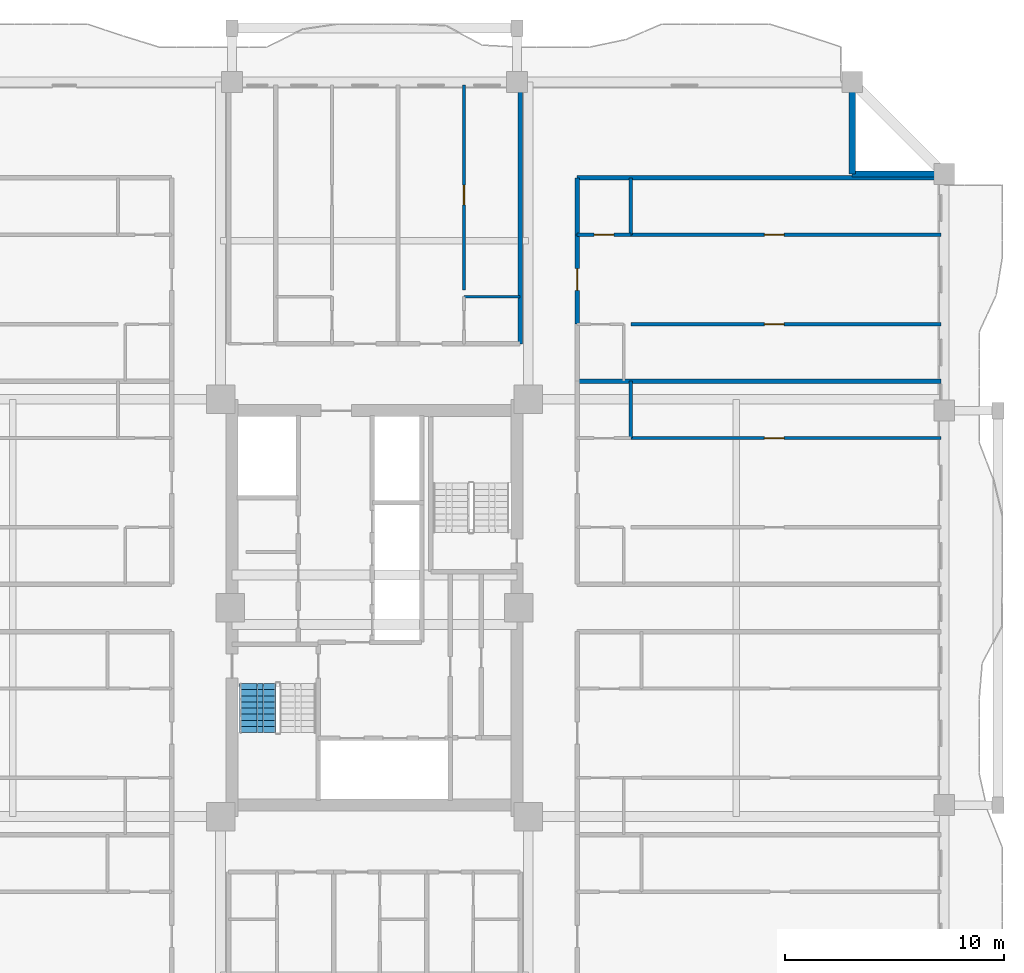
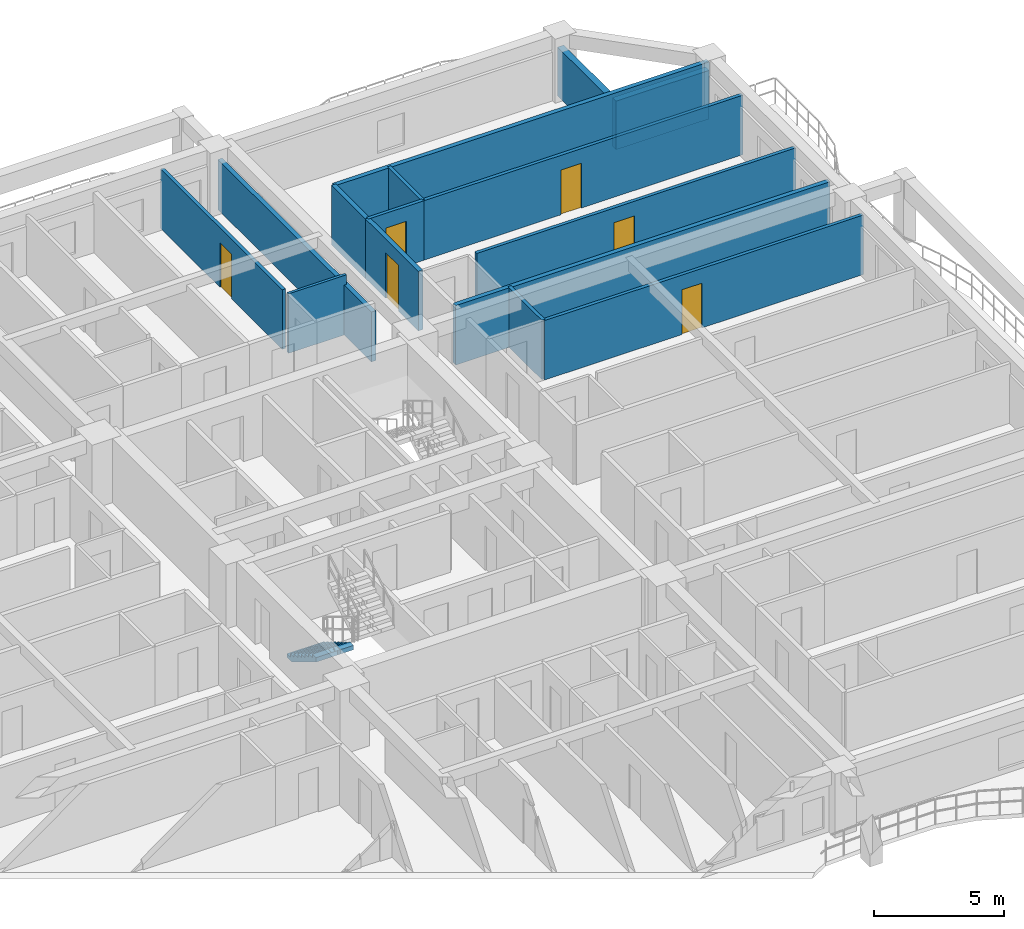
# One storey, part 8 of 13: 15 walls, 6 doors, 1 stair flight, 6 openings, 1 element without a shape of its own.
"""IFC4 building model written with IfcOpenShell, lengths in metres."""

import ifcopenshell
import ifcopenshell.guid

model = None  # the IFC model being written
_history = None  # IfcOwnerHistory: only IFC2X3 demands one
_inside = {}  # id of a spatial element -> (the spatial element, [elements in it])
_under = {}  # id of a project, library or spatial element -> (it, [spatial elements below it])
_declared = {}  # id of a project -> (the project, [libraries it declares])
_typed = {}  # id of a type object -> (the type object, [elements of that type])
_made_of = {}  # id of a material, layer set ... -> (it, [elements and type objects made of it])


def new_model(schema):
    """Start an empty IFC model of exactly this schema.

    Asked for "IFC4X3", IfcOpenShell would pick the latest addendum, in which some entities
    have other attributes; the version numbers below select the first issue.
    IFC2X3 requires an IfcOwnerHistory on every rooted entity: one is made here for all.
    """
    global model, _history
    if schema == "IFC4X3":
        model = ifcopenshell.file(schema_version=(4, 3, 0, 0))
    else:
        model = ifcopenshell.file(schema=schema)
    _inside.clear()
    _under.clear()
    _declared.clear()
    _typed.clear()
    _made_of.clear()
    _history = None
    if model.schema == "IFC2X3":
        org = make("IfcOrganization", Name="unknown")
        user = make(
            "IfcPersonAndOrganization",
            ThePerson=make("IfcPerson", FamilyName="unknown"),
            TheOrganization=org,
        )
        app = make(
            "IfcApplication",
            ApplicationDeveloper=org,
            Version="unknown",
            ApplicationFullName="unknown",
            ApplicationIdentifier="unknown",
        )
        _history = make(
            "IfcOwnerHistory",
            OwningUser=user,
            OwningApplication=app,
            ChangeAction="ADDED",
            CreationDate=0,
        )
    return model


def make(cls, **values):
    """One entity of the class cls with the attributes given. An attribute that is None is left unset."""
    return model.create_entity(
        cls, **{name: value for name, value in values.items() if value is not None}
    )


def rooted(cls, **values):
    """An entity with a GlobalId (a new one), such as an element, a storey or a relation."""
    return make(cls, GlobalId=ifcopenshell.guid.new(), OwnerHistory=_history, **values)


def si_unit(unit_type, name, prefix=None):
    """IfcSIUnit, for example si_unit("LENGTHUNIT", "METRE", prefix="MILLI")."""
    return make("IfcSIUnit", UnitType=unit_type, Prefix=prefix, Name=name)


def assignment(units):
    """IfcUnitAssignment: the units of a project."""
    return None if units is None else make("IfcUnitAssignment", Units=units)


def point(xyz):
    """IfcCartesianPoint."""
    return None if xyz is None else make("IfcCartesianPoint", Coordinates=xyz)


def direction(xyz):
    """IfcDirection."""
    return None if xyz is None else make("IfcDirection", DirectionRatios=xyz)


def frame(location, z_axis=None, x_axis=None):
    """IfcAxis2Placement3D, a coordinate frame: its origin and axes. An axis left out is left unset."""
    return make(
        "IfcAxis2Placement3D",
        Location=point(location),
        Axis=direction(z_axis),
        RefDirection=direction(x_axis),
    )


def frame_2d(location, x_axis=None):
    """IfcAxis2Placement2D, a coordinate frame in the plane: its origin and x axis."""
    return make(
        "IfcAxis2Placement2D", Location=point(location), RefDirection=direction(x_axis)
    )


def origin():
    """The frame at (0, 0, 0) with its axes left unset."""
    return frame((0.0, 0.0, 0.0))


def place(relative_to, where):
    """IfcLocalPlacement: puts the frame where relative to a parent placement (None: the world)."""
    return make(
        "IfcLocalPlacement", PlacementRelTo=relative_to, RelativePlacement=where
    )


def context(
    kind, dimensions, precision=None, world=None, true_north=None, identifier=None
):
    """IfcGeometricRepresentationContext, for example the 3D "Model" context."""
    return make(
        "IfcGeometricRepresentationContext",
        ContextIdentifier=identifier,
        ContextType=kind,
        CoordinateSpaceDimension=dimensions,
        Precision=precision,
        WorldCoordinateSystem=world,
        TrueNorth=true_north,
    )


def subcontext(parent, identifier, kind, view, scale=None):
    """IfcGeometricRepresentationSubContext, for example "Body" below "Model"."""
    return make(
        "IfcGeometricRepresentationSubContext",
        ContextIdentifier=identifier,
        ContextType=kind,
        ParentContext=parent,
        TargetScale=scale,
        TargetView=view,
    )


def project(units=None, contexts=None):
    """IfcProject with its units and contexts."""
    return rooted(
        "IfcProject",
        Name="project",
        RepresentationContexts=contexts,
        UnitsInContext=assignment(units),
    )


def spatial(cls, under=None, at=None, **own):
    """A site, building, storey or space (cls), placed at a placement, below another one or the project."""
    s = rooted(cls, ObjectPlacement=at, **own)
    if under is not None:
        _under.setdefault(under.id(), (under, []))[1].append(s)
    return s


def polyline(points):
    """IfcPolyline through the points."""
    return make("IfcPolyline", Points=[point(p) for p in points])


def profile(cls, at=None, kind="AREA", **sizes):
    """A parametric profile (cls). Its sizes go by their IFC names, for example OverallWidth=200.0."""
    return make(cls, ProfileType=kind, Position=at, **sizes)


def rectangle(**sizes):
    """IfcRectangleProfileDef."""
    return profile("IfcRectangleProfileDef", **sizes)


def outline(outer, holes=None, kind="AREA"):
    """IfcArbitraryClosedProfileDef: a profile drawn as a closed curve; with holes, ...WithVoids."""
    if holes is None:
        return make("IfcArbitraryClosedProfileDef", ProfileType=kind, OuterCurve=outer)
    return make(
        "IfcArbitraryProfileDefWithVoids",
        ProfileType=kind,
        OuterCurve=outer,
        InnerCurves=holes,
    )


def extrude(swept, where, along, depth):
    """IfcExtrudedAreaSolid: the profile swept, set in the frame where, extruded along a direction by depth."""
    return make(
        "IfcExtrudedAreaSolid",
        SweptArea=swept,
        Position=where,
        ExtrudedDirection=direction(along),
        Depth=depth,
    )


def shape(context_of_items, identifier, shape_type, items):
    """IfcShapeRepresentation: the items that make up one representation, for example the "Body"."""
    return make(
        "IfcShapeRepresentation",
        ContextOfItems=context_of_items,
        RepresentationIdentifier=identifier,
        RepresentationType=shape_type,
        Items=items,
    )


def source(mapping_origin, context_of_items, identifier, shape_type, items):
    """IfcRepresentationMap: a shape defined once, which mapped items show again and again."""
    return make(
        "IfcRepresentationMap",
        MappingOrigin=mapping_origin,
        MappedRepresentation=shape(context_of_items, identifier, shape_type, items),
    )


def transform(
    local_origin,
    x_axis=None,
    y_axis=None,
    z_axis=None,
    scale=None,
    scale2=None,
    scale3=None,
    uniform=True,
):
    """IfcCartesianTransformationOperator3D, or its non-uniform kind. x_axis, y_axis, z_axis: its Axis1, 2, 3."""
    if uniform:
        return make(
            "IfcCartesianTransformationOperator3D",
            Axis1=direction(x_axis),
            Axis2=direction(y_axis),
            LocalOrigin=point(local_origin),
            Scale=scale,
            Axis3=direction(z_axis),
        )
    return make(
        "IfcCartesianTransformationOperator3DnonUniform",
        Axis1=direction(x_axis),
        Axis2=direction(y_axis),
        LocalOrigin=point(local_origin),
        Scale=scale,
        Axis3=direction(z_axis),
        Scale2=scale2,
        Scale3=scale3,
    )


def mapped(mapping_source, mapping_target):
    """IfcMappedItem: shows the shape of a source again, moved by a transform."""
    return make(
        "IfcMappedItem", MappingSource=mapping_source, MappingTarget=mapping_target
    )


def material(Name=None, Category=None):
    """IfcMaterial."""
    return make("IfcMaterial", Name=Name, Category=Category)


def layer(
    of_material, thickness, ventilated=None, Name=None, Category=None, Priority=None
):
    """IfcMaterialLayer: one layer of a wall or slab, of a material (None: an air gap)."""
    return make(
        "IfcMaterialLayer",
        Material=of_material,
        LayerThickness=thickness,
        IsVentilated=ventilated,
        Name=Name,
        Category=Category,
        Priority=Priority,
    )


def layer_set(layers, Name=None):
    """IfcMaterialLayerSet."""
    return make("IfcMaterialLayerSet", MaterialLayers=layers, LayerSetName=Name)


def made_of(thing, what):
    """Note that an element or type object is made of a material, layer set ...; save() writes the relation."""
    if what is not None:
        _made_of.setdefault(what.id(), (what, []))[1].append(thing)
    return thing


def type_object(cls, material=None, **own):
    """A type object (cls), such as IfcWallType, which elements share."""
    return made_of(rooted(cls, **own), material)


def element(
    cls,
    number,
    at=None,
    inside=None,
    cuts=None,
    type_object=None,
    material=None,
    context=None,
    identifier="Body",
    shape_type=None,
    held_by="IfcProductDefinitionShape",
    body=None,
    shapes=None,
    **own,
):
    """One element of the class cls, such as IfcWall. Its Tag is "e" and its number.

    at: its placement. inside: the storey or other place that contains it. cuts: it is an
    opening in that element (IfcRelVoidsElement). A single representation is given by context,
    identifier, shape_type and body (its items); several are given by shapes. held_by: the class
    of the entity that holds the representations. save() writes the other relations.
    """
    e = rooted(cls, Tag="e%d" % number, ObjectPlacement=at, **own)
    if body is not None:
        shapes = [shape(context, identifier, shape_type, body)]
    if shapes is not None:
        e.Representation = make(held_by, Representations=shapes)
    if inside is not None:
        _inside.setdefault(inside.id(), (inside, []))[1].append(e)
    if cuts is not None:
        rooted(
            "IfcRelVoidsElement", RelatingBuildingElement=cuts, RelatedOpeningElement=e
        )
    if type_object is not None:
        _typed.setdefault(type_object.id(), (type_object, []))[1].append(e)
    return made_of(e, material)


def fill(opening, filler):
    """IfcRelFillsElement: the door or window that sits in an opening."""
    return rooted(
        "IfcRelFillsElement",
        RelatingOpeningElement=opening,
        RelatedBuildingElement=filler,
    )


def aggregate(whole, parts):
    """IfcRelAggregates: a whole, such as a stair, and the parts it consists of."""
    return rooted("IfcRelAggregates", RelatingObject=whole, RelatedObjects=parts)


def save(model, path):
    """Write the relations noted so far, then the file.

    IfcRelAggregates (storeys below a building ...), IfcRelContainedInSpatialStructure (elements
    in a storey), IfcRelDefinesByType, IfcRelAssociatesMaterial and IfcRelDeclares: one each for
    every whole, place, type object, material and project.
    """
    for whole, parts in _under.values():
        aggregate(whole, parts)
    for where, things in _inside.values():
        rooted(
            "IfcRelContainedInSpatialStructure",
            RelatedElements=things,
            RelatingStructure=where,
        )
    for kind, things in _typed.values():
        rooted("IfcRelDefinesByType", RelatedObjects=things, RelatingType=kind)
    for what, things in _made_of.values():
        rooted("IfcRelAssociatesMaterial", RelatedObjects=things, RelatingMaterial=what)
    for by, libraries in _declared.values():
        rooted("IfcRelDeclares", RelatingContext=by, RelatedDefinitions=libraries)
    model.write(path)


model = new_model("IFC4")

# Units and contexts
model_context = context("Model", 3, precision=1e-05, world=origin(), true_north=direction((0.0, 1.0)))
body_context = subcontext(model_context, "Body", "Model", "MODEL_VIEW")
ifc_project = project(units=[si_unit("LENGTHUNIT", "METRE"), si_unit("AREAUNIT", "SQUARE_METRE"), si_unit("VOLUMEUNIT", "CUBIC_METRE"), si_unit("PLANEANGLEUNIT", "RADIAN"), si_unit("MASSUNIT", "GRAM", prefix="KILO")], contexts=[model_context])

# Site, building, storey
site_placement = place(None, origin())
site = spatial("IfcSite", under=ifc_project, at=site_placement, CompositionType="ELEMENT")
building_placement = place(site_placement, origin())
building = spatial("IfcBuilding", under=site, at=building_placement, Name="Saelheon Loggia Tower", CompositionType="ELEMENT")
storey_placement = place(building_placement, frame((0.0, 0.0, 110.85009765625)))
storey = spatial("IfcBuildingStorey", under=building, at=storey_placement, Name="L35", CompositionType="ELEMENT", Elevation=110.85009765625)

# Walls
ifc_material_1 = material(Name="Architectural Precast Concrete C40/50", Category="concrete")
ifc_layer_1 = layer(ifc_material_1, 0.280029296875)
ifc_layer_set_1 = layer_set([ifc_layer_1], Name="Architectural Precast Concrete C40/50")
wall_type_1 = type_object("IfcWallType", Name="Wall_Ext_Loggia_280", PredefinedType="SOLIDWALL", material=ifc_layer_set_1)
for number, where, z_axis, x_axis, name in (
    (1, (59.800048828125, 46.800048828125, 0.0), (0.0, 0.0, 1.0), (0.0, 1.0, 0.0), "L35 Corner Notch Precast Wall NE1"),
    (2, (59.800048828125, 46.800048828125, 0.0), (0.0, 0.0, 1.0), (1.0, 0.0, 0.0), "L35 Corner Notch Precast Wall NE2"),
):
    element("IfcWall", number, at=place(storey_placement, frame(where, z_axis=z_axis, x_axis=x_axis)), inside=storey, type_object=wall_type_1, Name=name, PredefinedType="SOLIDWALL", context=body_context, shape_type="SweptSolid", body=[
        extrude(rectangle(XDim=4.119873046875, YDim=0.280029296875, at=frame_2d((2.06005859375, 0.0))), origin(), (0.0, 0.0, 1.0), 2.27978515625),
    ])

# Wall, opening, door
ifc_material_2 = material(Name="Lightweight Autoclaved Aerated Concrete Block and Acoustic Gypsum", Category="concrete")
ifc_layer_2 = layer(ifc_material_2, 0.14990234375)
ifc_layer_set_2 = layer_set([ifc_layer_2], Name="Lightweight Autoclaved Aerated Concrete Block and Acoustic Gypsum")
wall_type_2 = type_object("IfcWallType", Name="Wall_Part_150", PredefinedType="PARTITIONING", material=ifc_layer_set_2)
wall_1_placement = place(storey_placement, frame((42.08544921875, 41.5, 0.0), z_axis=(0.0, 0.0, 1.0), x_axis=(0.0, 1.0, 0.0)))
wall_1 = element("IfcWall", 3, at=wall_1_placement, inside=storey, type_object=wall_type_2, Name="L35 N Partition U15", PredefinedType="PARTITIONING", context=body_context, shape_type="SweptSolid", body=[
    extrude(rectangle(XDim=9.35009765625, YDim=0.14990234375, at=frame_2d((4.675048828125, 0.0))), origin(), (0.0, 0.0, 1.0), 2.789794921875),
])
opening_1_placement = place(wall_1_placement, frame((3.892822265625, 0.0, 0.0)))
opening_1 = element("IfcOpeningElement", 4, at=opening_1_placement, cuts=wall_1, Name="Opening D-IN2", PredefinedType="OPENING", context=body_context, shape_type="SweptSolid", body=[
    extrude(rectangle(XDim=0.89990234375, YDim=2.10009765625, at=frame_2d((0.449951171875, 1.050048828125))), frame((0.0, 0.0869140625, 0.0), z_axis=(0.0, -1.0, 0.0), x_axis=(1.0, 0.0, 0.0)), (0.0, 0.0, 1.0), 0.173828125),
])
ifc_material_3 = material(Name="Engineered Oak Flush Door", Category="timber")
door_type_1 = type_object("IfcDoorType", Name="Door_Int_900", OperationType="NOTDEFINED", PredefinedType="DOOR", material=ifc_material_3)
shared_shape_1 = source(origin(), body_context, "Body", "SweptSolid", [
    extrude(rectangle(XDim=0.89990234375, YDim=2.10009765625, at=frame_2d((0.449951171875, 1.050048828125))), frame((0.0, 0.02490234375, 0.0), z_axis=(0.0, -1.0, 0.0), x_axis=(1.0, 0.0, 0.0)), (0.0, 0.0, 1.0), 0.050048828125),
])
door_1_placement = place(opening_1_placement, origin())
door_1 = element("IfcDoor", 5, at=door_1_placement, inside=storey, type_object=door_type_1, Name="Unit U05 Kitchen Door", OperationType="SINGLE_SWING_LEFT", OverallHeight=2.10009765625, OverallWidth=0.89990234375, PredefinedType="DOOR", context=body_context, shape_type="MappedRepresentation", body=[
    mapped(shared_shape_1, transform((0.0, 0.0, 0.0), scale=1.0)),
])
fill(opening_1, door_1)

# Wall
wall_2_placement = place(storey_placement, frame((49.699951171875, 34.75, 0.0), z_axis=(0.0, 0.0, 1.0), x_axis=(0.0, 1.0, 0.0)))
element("IfcWall", 6, at=wall_2_placement, inside=storey, type_object=wall_type_2, Name="L35 EN Partition V07", PredefinedType="PARTITIONING", context=body_context, shape_type="SweptSolid", body=[
    extrude(rectangle(XDim=2.60009765625, YDim=0.14990234375, at=frame_2d((1.300048828125, 0.0))), origin(), (0.0, 0.0, 1.0), 2.789794921875),
])

# Wall, opening, door
wall_3_placement = place(storey_placement, frame((49.699951171875, 34.75, 0.0), z_axis=(0.0, 0.0, 1.0), x_axis=(1.0, 0.0, 0.0)))
wall_3 = element("IfcWall", 7, at=wall_3_placement, inside=storey, type_object=wall_type_2, Name="L35 EN Partition U11", PredefinedType="PARTITIONING", context=body_context, shape_type="SweptSolid", body=[
    extrude(rectangle(XDim=14.150146484375, YDim=0.14990234375, at=frame_2d((7.0751953125, 0.0))), origin(), (0.0, 0.0, 1.0), 2.789794921875),
])
opening_2_placement = place(wall_3_placement, frame((6.093017578125, 0.0, 0.0)))
opening_2 = element("IfcOpeningElement", 8, at=opening_2_placement, cuts=wall_3, Name="Opening D-IN2", PredefinedType="OPENING", context=body_context, shape_type="SweptSolid", body=[
    extrude(rectangle(XDim=0.89990234375, YDim=2.10009765625, at=frame_2d((0.449951171875, 1.050048828125))), frame((0.0, 0.0869140625, 0.0), z_axis=(0.0, -1.0, 0.0), x_axis=(1.0, 0.0, 0.0)), (0.0, 0.0, 1.0), 0.173828125),
])
door_2_placement = place(opening_2_placement, origin())
door_2 = element("IfcDoor", 9, at=door_2_placement, inside=storey, type_object=door_type_1, Name="Unit U12 Bedroom 1 Door", OperationType="SINGLE_SWING_RIGHT", OverallHeight=2.10009765625, OverallWidth=0.89990234375, PredefinedType="DOOR", context=body_context, shape_type="MappedRepresentation", body=[
    mapped(shared_shape_1, transform((0.0, 0.0, 0.0), scale=1.0)),
])
fill(opening_2, door_2)

# Wall
wall_4_placement = place(storey_placement, frame((49.699951171875, 44.02001953125, 0.0), z_axis=(0.0, 0.0, 1.0), x_axis=(0.0, 1.0, 0.0)))
element("IfcWall", 10, at=wall_4_placement, inside=storey, type_object=wall_type_2, Name="L35 EN Partition V17", PredefinedType="PARTITIONING", context=body_context, shape_type="SweptSolid", body=[
    extrude(rectangle(XDim=2.60009765625, YDim=0.14990234375, at=frame_2d((1.300048828125, 0.0))), origin(), (0.0, 0.0, 1.0), 2.789794921875),
])

# Wall, opening, door
wall_5_placement = place(storey_placement, frame((49.699951171875, 39.945556640625, 0.0), z_axis=(0.0, 0.0, 1.0), x_axis=(1.0, 0.0, 0.0)))
wall_5 = element("IfcWall", 11, at=wall_5_placement, inside=storey, type_object=wall_type_2, Name="L35 EN Partition U19", PredefinedType="PARTITIONING", context=body_context, shape_type="SweptSolid", body=[
    extrude(rectangle(XDim=14.150146484375, YDim=0.14990234375, at=frame_2d((7.0751953125, 0.0))), origin(), (0.0, 0.0, 1.0), 2.789794921875),
])
opening_3_placement = place(wall_5_placement, frame((6.093017578125, 0.0, 0.0)))
opening_3 = element("IfcOpeningElement", 12, at=opening_3_placement, cuts=wall_5, Name="Opening D-IN2", PredefinedType="OPENING", context=body_context, shape_type="SweptSolid", body=[
    extrude(rectangle(XDim=0.89990234375, YDim=2.10009765625, at=frame_2d((0.449951171875, 1.050048828125))), frame((0.0, 0.0869140625, 0.0), z_axis=(0.0, -1.0, 0.0), x_axis=(1.0, 0.0, 0.0)), (0.0, 0.0, 1.0), 0.173828125),
])
door_3_placement = place(opening_3_placement, origin())
door_3 = element("IfcDoor", 13, at=door_3_placement, inside=storey, type_object=door_type_1, Name="Unit U13 Kitchen Door", OperationType="SINGLE_SWING_LEFT", OverallHeight=2.10009765625, OverallWidth=0.89990234375, PredefinedType="DOOR", context=body_context, shape_type="MappedRepresentation", body=[
    mapped(shared_shape_1, transform((0.0, 0.0, 0.0), scale=1.0)),
])
fill(opening_3, door_3)

wall_6_placement = place(storey_placement, frame((47.25, 44.02001953125, 0.0), z_axis=(0.0, 0.0, 1.0), x_axis=(1.0, 0.0, 0.0)))
wall_6 = element("IfcWall", 14, at=wall_6_placement, inside=storey, type_object=wall_type_2, Name="L35 EN Partition U20", PredefinedType="PARTITIONING", context=body_context, shape_type="SweptSolid", body=[
    extrude(rectangle(XDim=2.449951171875, YDim=0.14990234375, at=frame_2d((1.22509765625, 0.0))), origin(), (0.0, 0.0, 1.0), 2.789794921875),
])
opening_4_placement = place(wall_6_placement, frame((0.77490234375, 0.0, 0.0)))
opening_4 = element("IfcOpeningElement", 15, at=opening_4_placement, cuts=wall_6, Name="Opening D-IN2", PredefinedType="OPENING", context=body_context, shape_type="SweptSolid", body=[
    extrude(rectangle(XDim=0.89990234375, YDim=2.10009765625, at=frame_2d((0.449951171875, 1.050048828125))), frame((0.0, 0.0869140625, 0.0), z_axis=(0.0, -1.0, 0.0), x_axis=(1.0, 0.0, 0.0)), (0.0, 0.0, 1.0), 0.173828125),
])
door_4_placement = place(opening_4_placement, origin())
door_4 = element("IfcDoor", 16, at=door_4_placement, inside=storey, type_object=door_type_1, Name="Unit U13 Dressing Closet Door", OperationType="SINGLE_SWING_RIGHT", OverallHeight=2.10009765625, OverallWidth=0.89990234375, PredefinedType="DOOR", context=body_context, shape_type="MappedRepresentation", body=[
    mapped(shared_shape_1, transform((0.0, 0.0, 0.0), scale=1.0)),
])
fill(opening_4, door_4)

wall_7_placement = place(storey_placement, frame((49.699951171875, 44.02001953125, 0.0), z_axis=(0.0, 0.0, 1.0), x_axis=(1.0, 0.0, 0.0)))
wall_7 = element("IfcWall", 17, at=wall_7_placement, inside=storey, type_object=wall_type_2, Name="L35 EN Partition U21", PredefinedType="PARTITIONING", context=body_context, shape_type="SweptSolid", body=[
    extrude(rectangle(XDim=14.150146484375, YDim=0.14990234375, at=frame_2d((7.0751953125, 0.0))), origin(), (0.0, 0.0, 1.0), 2.789794921875),
])
opening_5_placement = place(wall_7_placement, frame((6.093017578125, 0.0, 0.0)))
opening_5 = element("IfcOpeningElement", 18, at=opening_5_placement, cuts=wall_7, Name="Opening D-IN2", PredefinedType="OPENING", context=body_context, shape_type="SweptSolid", body=[
    extrude(rectangle(XDim=0.89990234375, YDim=2.10009765625, at=frame_2d((0.449951171875, 1.050048828125))), frame((0.0, 0.0869140625, 0.0), z_axis=(0.0, -1.0, 0.0), x_axis=(1.0, 0.0, 0.0)), (0.0, 0.0, 1.0), 0.173828125),
])
door_5_placement = place(opening_5_placement, origin())
door_5 = element("IfcDoor", 19, at=door_5_placement, inside=storey, type_object=door_type_1, Name="Unit U13 Bedroom 1 Door", OperationType="SINGLE_SWING_LEFT", OverallHeight=2.10009765625, OverallWidth=0.89990234375, PredefinedType="DOOR", context=body_context, shape_type="MappedRepresentation", body=[
    mapped(shared_shape_1, transform((0.0, 0.0, 0.0), scale=1.0)),
])
fill(opening_5, door_5)

# Walls
ifc_material_4 = material(Name="Double Acoustic Stud and Fireboard Partition", Category="gypsum")
ifc_layer_3 = layer(ifc_material_4, 0.199951171875)
ifc_layer_set_3 = layer_set([ifc_layer_3], Name="Double Acoustic Stud and Fireboard Partition")
wall_type_3 = type_object("IfcWallType", Name="Wall_Party_200", PredefinedType="PARTITIONING", material=ifc_layer_set_3)
wall_8_placement = place(storey_placement, frame((44.64990234375, 39.050048828125, 0.0), z_axis=(0.0, 0.0, 1.0), x_axis=(0.0, 1.0, 0.0)))
element("IfcWall", 20, at=wall_8_placement, inside=storey, type_object=wall_type_3, Name="L35 N Partition U02", PredefinedType="PARTITIONING", context=body_context, shape_type="SweptSolid", body=[
    extrude(rectangle(XDim=11.800048828125, YDim=0.199951171875, at=frame_2d((5.89990234375, 0.0))), origin(), (0.0, 0.0, 1.0), 2.33984375),
])
for number, where, z_axis, x_axis, name in (
    (21, (47.25, 46.6201171875, 0.0), (0.0, 0.0, 1.0), (1.0, 0.0, 0.0), "L35 EN Partition U02"),
    (22, (47.25, 37.35009765625, 0.0), (0.0, 0.0, 1.0), (1.0, 0.0, 0.0), "L35 EN Partition U12"),
):
    element("IfcWall", number, at=place(storey_placement, frame(where, z_axis=z_axis, x_axis=x_axis)), inside=storey, type_object=wall_type_3, Name=name, PredefinedType="PARTITIONING", context=body_context, shape_type="SweptSolid", body=[
        extrude(rectangle(XDim=16.60009765625, YDim=0.199951171875, at=frame_2d((8.300048828125, 0.0))), origin(), (0.0, 0.0, 1.0), 2.789794921875),
    ])

# Wall, opening, door
wall_9_placement = place(storey_placement, frame((47.25, 39.945556640625, 0.0), z_axis=(0.0, 0.0, 1.0), x_axis=(0.0, 1.0, 0.0)))
wall_9 = element("IfcWall", 23, at=wall_9_placement, inside=storey, type_object=wall_type_3, Name="L35 EN Partition V14", PredefinedType="PARTITIONING", context=body_context, shape_type="SweptSolid", body=[
    extrude(rectangle(XDim=4.074462890625, YDim=0.199951171875, at=frame_2d((2.037109375, 0.0))), origin(), (0.0, 0.0, 1.0), 2.789794921875),
])
opening_6_placement = place(wall_9_placement, frame((1.537109375, 0.0, 0.0)))
opening_6 = element("IfcOpeningElement", 24, at=opening_6_placement, cuts=wall_9, Name="Opening D-FD1", PredefinedType="OPENING", context=body_context, shape_type="SweptSolid", body=[
    extrude(rectangle(XDim=1.0, YDim=2.14990234375, at=frame_2d((0.5, 1.074951171875))), frame((0.0, 0.112060546875, 0.0), z_axis=(0.0, -1.0, 0.0), x_axis=(1.0, 0.0, 0.0)), (0.0, 0.0, 1.0), 0.223876953125),
])
ifc_material_5 = material(Name="Fire-Rated Engineered Timber Entrance Door", Category="wood")
door_type_2 = type_object("IfcDoorType", Name="Door_Flat_FD30S", OperationType="NOTDEFINED", PredefinedType="DOOR", material=ifc_material_5)
shared_shape_2 = source(origin(), body_context, "Body", "SweptSolid", [
    extrude(rectangle(XDim=1.0, YDim=2.14990234375, at=frame_2d((0.5, 1.074951171875))), frame((0.0, 0.02490234375, 0.0), z_axis=(0.0, -1.0, 0.0), x_axis=(1.0, 0.0, 0.0)), (0.0, 0.0, 1.0), 0.050048828125),
])
door_6_placement = place(opening_6_placement, origin())
door_6 = element("IfcDoor", 25, at=door_6_placement, inside=storey, type_object=door_type_2, Name="Unit U13 Entrance Door", OperationType="SINGLE_SWING_LEFT", OverallHeight=2.14990234375, OverallWidth=1.0, PredefinedType="DOOR", context=body_context, shape_type="MappedRepresentation", body=[
    mapped(shared_shape_2, transform((0.0, 0.0, 0.0), scale=1.0)),
])
fill(opening_6, door_6)

# Walls
wall_10_placement = place(storey_placement, frame((47.25, 44.02001953125, 0.0), z_axis=(0.0, 0.0, 1.0), x_axis=(0.0, 1.0, 0.0)))
element("IfcWall", 26, at=wall_10_placement, inside=storey, type_object=wall_type_3, Name="L35 EN Partition V15", PredefinedType="PARTITIONING", context=body_context, shape_type="SweptSolid", body=[
    extrude(rectangle(XDim=2.60009765625, YDim=0.199951171875, at=frame_2d((1.300048828125, 0.0))), origin(), (0.0, 0.0, 1.0), 2.789794921875),
])
ifc_material_6 = material(Name="Moisture-Resistant Cement Board Partition", Category="gypsum")
ifc_layer_4 = layer(ifc_material_6, 0.1201171875)
ifc_layer_set_4 = layer_set([ifc_layer_4], Name="Moisture-Resistant Cement Board Partition")
wall_type_4 = type_object("IfcWallType", Name="Wall_WetPart_120", PredefinedType="PARTITIONING", material=ifc_layer_set_4)
wall_11_placement = place(storey_placement, frame((42.08544921875, 41.199951171875, 0.0), z_axis=(0.0, 0.0, 1.0), x_axis=(1.0, 0.0, 0.0)))
element("IfcWall", 27, at=wall_11_placement, inside=storey, type_object=wall_type_4, Name="L35 N Partition V14", PredefinedType="PARTITIONING", context=body_context, shape_type="SweptSolid", body=[
    extrude(rectangle(XDim=2.564453125, YDim=0.1201171875, at=frame_2d((1.2822265625, 0.0))), origin(), (0.0, 0.0, 1.0), 2.789794921875),
])

# Stair, stair flight
ifc_material_7 = material(Name="Concrete C40/50", Category="concrete")
stair_type = type_object("IfcStairType", Name="Stair_Escape_Core", PredefinedType="HALF_TURN_STAIR", material=ifc_material_7)
stair_placement = place(storey_placement, origin())
stair = element("IfcStair", 28, at=stair_placement, inside=storey, type_object=stair_type, Name="L35 Special Escape Stair ST1", PredefinedType="HALF_TURN_STAIR")
stair_flight_type = type_object("IfcStairFlightType", Name="StairFlight_Tower_1660", PredefinedType="STRAIGHT", material=ifc_material_7)
stair_flight_placement = place(storey_placement, frame((32.679931640625, 23.550048828125, 0.0), z_axis=(0.0, 0.0, 1.0), x_axis=(0.0, -1.0, 0.0)))
stair_flight = element("IfcStairFlight", 29, at=stair_flight_placement, type_object=stair_flight_type, Name="ST1 flight 1", NumberOfRisers=9, NumberOfTreads=8, PredefinedType="STRAIGHT", RiserHeight=0.166666667, TreadLength=0.28, context=body_context, shape_type="SweptSolid", body=[
    extrude(outline(polyline([(0.0, 0.0), (0.0, 0.166748046875), (0.280029296875, 0.166748046875), (0.280029296875, 0.333251953125), (0.56005859375, 0.333251953125), (0.56005859375, 0.5), (0.840087890625, 0.5), (0.840087890625, 0.666748046875), (1.1201171875, 0.666748046875), (1.1201171875, 0.833251953125), (1.39990234375, 0.833251953125), (1.39990234375, 1.0), (1.679931640625, 1.0), (1.679931640625, 1.166748046875), (1.9599609375, 1.166748046875), (1.9599609375, 1.333251953125), (2.239990234375, 1.333251953125), (2.239990234375, 1.5), (2.239990234375, 1.1240234375), (0.351806640625, 0.0), (0.0, 0.0)])), frame((0.0, -0.2490234375, 0.0), z_axis=(0.0, -1.0, 0.0), x_axis=(1.0, 0.0, 0.0)), (0.0, 0.0, 1.0), 0.5810546875),
    extrude(outline(polyline([(0.0, 0.0), (0.0, 0.166748046875), (0.280029296875, 0.166748046875), (0.280029296875, 0.333251953125), (0.56005859375, 0.333251953125), (0.56005859375, 0.5), (0.840087890625, 0.5), (0.840087890625, 0.666748046875), (1.1201171875, 0.666748046875), (1.1201171875, 0.833251953125), (1.39990234375, 0.833251953125), (1.39990234375, 1.0), (1.679931640625, 1.0), (1.679931640625, 1.166748046875), (1.9599609375, 1.166748046875), (1.9599609375, 1.333251953125), (2.239990234375, 1.333251953125), (2.239990234375, 1.5), (2.239990234375, 1.1240234375), (0.351806640625, 0.0), (0.0, 0.0)])), frame((0.0, -0.194091796875, 0.0), z_axis=(0.0, -1.0, 0.0), x_axis=(1.0, 0.0, 0.0)), (0.0, 0.0, 1.0), 0.0498046875),
    extrude(outline(polyline([(0.0, 0.0), (0.0, 0.166748046875), (0.280029296875, 0.166748046875), (0.280029296875, 0.333251953125), (0.56005859375, 0.333251953125), (0.56005859375, 0.5), (0.840087890625, 0.5), (0.840087890625, 0.666748046875), (1.1201171875, 0.666748046875), (1.1201171875, 0.833251953125), (1.39990234375, 0.833251953125), (1.39990234375, 1.0), (1.679931640625, 1.0), (1.679931640625, 1.166748046875), (1.9599609375, 1.166748046875), (1.9599609375, 1.333251953125), (2.239990234375, 1.333251953125), (2.239990234375, 1.5), (2.239990234375, 1.1240234375), (0.351806640625, 0.0), (0.0, 0.0)])), frame((0.0, -0.139404296875, 0.0), z_axis=(0.0, -1.0, 0.0), x_axis=(1.0, 0.0, 0.0)), (0.0, 0.0, 1.0), 0.0498046875),
    extrude(outline(polyline([(0.0, 0.0), (0.0, 0.166748046875), (0.280029296875, 0.166748046875), (0.280029296875, 0.333251953125), (0.56005859375, 0.333251953125), (0.56005859375, 0.5), (0.840087890625, 0.5), (0.840087890625, 0.666748046875), (1.1201171875, 0.666748046875), (1.1201171875, 0.833251953125), (1.39990234375, 0.833251953125), (1.39990234375, 1.0), (1.679931640625, 1.0), (1.679931640625, 1.166748046875), (1.9599609375, 1.166748046875), (1.9599609375, 1.333251953125), (2.239990234375, 1.333251953125), (2.239990234375, 1.5), (2.239990234375, 1.1240234375), (0.351806640625, 0.0), (0.0, 0.0)])), frame((0.0, -0.084716796875, 0.0), z_axis=(0.0, -1.0, 0.0), x_axis=(1.0, 0.0, 0.0)), (0.0, 0.0, 1.0), 0.0498046875),
    extrude(outline(polyline([(0.0, 0.0), (0.0, 0.166748046875), (0.280029296875, 0.166748046875), (0.280029296875, 0.333251953125), (0.56005859375, 0.333251953125), (0.56005859375, 0.5), (0.840087890625, 0.5), (0.840087890625, 0.666748046875), (1.1201171875, 0.666748046875), (1.1201171875, 0.833251953125), (1.39990234375, 0.833251953125), (1.39990234375, 1.0), (1.679931640625, 1.0), (1.679931640625, 1.166748046875), (1.9599609375, 1.166748046875), (1.9599609375, 1.333251953125), (2.239990234375, 1.333251953125), (2.239990234375, 1.5), (2.239990234375, 1.1240234375), (0.351806640625, 0.0), (0.0, 0.0)])), frame((0.0, -0.02978515625, 0.0), z_axis=(0.0, -1.0, 0.0), x_axis=(1.0, 0.0, 0.0)), (0.0, 0.0, 1.0), 0.0498046875),
    extrude(outline(polyline([(0.0, 0.0), (0.0, 0.166748046875), (0.280029296875, 0.166748046875), (0.280029296875, 0.333251953125), (0.56005859375, 0.333251953125), (0.56005859375, 0.5), (0.840087890625, 0.5), (0.840087890625, 0.666748046875), (1.1201171875, 0.666748046875), (1.1201171875, 0.833251953125), (1.39990234375, 0.833251953125), (1.39990234375, 1.0), (1.679931640625, 1.0), (1.679931640625, 1.166748046875), (1.9599609375, 1.166748046875), (1.9599609375, 1.333251953125), (2.239990234375, 1.333251953125), (2.239990234375, 1.5), (2.239990234375, 1.1240234375), (0.351806640625, 0.0), (0.0, 0.0)])), frame((0.0, 0.02490234375, 0.0), z_axis=(0.0, -1.0, 0.0), x_axis=(1.0, 0.0, 0.0)), (0.0, 0.0, 1.0), 0.0498046875),
    extrude(outline(polyline([(0.0, 0.0), (0.0, 0.166748046875), (0.280029296875, 0.166748046875), (0.280029296875, 0.333251953125), (0.56005859375, 0.333251953125), (0.56005859375, 0.5), (0.840087890625, 0.5), (0.840087890625, 0.666748046875), (1.1201171875, 0.666748046875), (1.1201171875, 0.833251953125), (1.39990234375, 0.833251953125), (1.39990234375, 1.0), (1.679931640625, 1.0), (1.679931640625, 1.166748046875), (1.9599609375, 1.166748046875), (1.9599609375, 1.333251953125), (2.239990234375, 1.333251953125), (2.239990234375, 1.5), (2.239990234375, 1.1240234375), (0.351806640625, 0.0), (0.0, 0.0)])), frame((0.0, 0.07958984375, 0.0), z_axis=(0.0, -1.0, 0.0), x_axis=(1.0, 0.0, 0.0)), (0.0, 0.0, 1.0), 0.0498046875),
    extrude(outline(polyline([(0.0, 0.0), (0.0, 0.166748046875), (0.280029296875, 0.166748046875), (0.280029296875, 0.333251953125), (0.56005859375, 0.333251953125), (0.56005859375, 0.5), (0.840087890625, 0.5), (0.840087890625, 0.666748046875), (1.1201171875, 0.666748046875), (1.1201171875, 0.833251953125), (1.39990234375, 0.833251953125), (1.39990234375, 1.0), (1.679931640625, 1.0), (1.679931640625, 1.166748046875), (1.9599609375, 1.166748046875), (1.9599609375, 1.333251953125), (2.239990234375, 1.333251953125), (2.239990234375, 1.5), (2.239990234375, 1.1240234375), (0.351806640625, 0.0), (0.0, 0.0)])), frame((0.0, 0.134521484375, 0.0), z_axis=(0.0, -1.0, 0.0), x_axis=(1.0, 0.0, 0.0)), (0.0, 0.0, 1.0), 0.0498046875),
    extrude(outline(polyline([(0.0, 0.0), (0.0, 0.166748046875), (0.280029296875, 0.166748046875), (0.280029296875, 0.333251953125), (0.56005859375, 0.333251953125), (0.56005859375, 0.5), (0.840087890625, 0.5), (0.840087890625, 0.666748046875), (1.1201171875, 0.666748046875), (1.1201171875, 0.833251953125), (1.39990234375, 0.833251953125), (1.39990234375, 1.0), (1.679931640625, 1.0), (1.679931640625, 1.166748046875), (1.9599609375, 1.166748046875), (1.9599609375, 1.333251953125), (2.239990234375, 1.333251953125), (2.239990234375, 1.5), (2.239990234375, 1.1240234375), (0.351806640625, 0.0), (0.0, 0.0)])), frame((0.0, 0.189208984375, 0.0), z_axis=(0.0, -1.0, 0.0), x_axis=(1.0, 0.0, 0.0)), (0.0, 0.0, 1.0), 0.0498046875),
    extrude(outline(polyline([(0.0, 0.0), (0.0, 0.166748046875), (0.280029296875, 0.166748046875), (0.280029296875, 0.333251953125), (0.56005859375, 0.333251953125), (0.56005859375, 0.5), (0.840087890625, 0.5), (0.840087890625, 0.666748046875), (1.1201171875, 0.666748046875), (1.1201171875, 0.833251953125), (1.39990234375, 0.833251953125), (1.39990234375, 1.0), (1.679931640625, 1.0), (1.679931640625, 1.166748046875), (1.9599609375, 1.166748046875), (1.9599609375, 1.333251953125), (2.239990234375, 1.333251953125), (2.239990234375, 1.5), (2.239990234375, 1.1240234375), (0.351806640625, 0.0), (0.0, 0.0)])), frame((0.0, 0.243896484375, 0.0), z_axis=(0.0, -1.0, 0.0), x_axis=(1.0, 0.0, 0.0)), (0.0, 0.0, 1.0), 0.0498046875),
    extrude(outline(polyline([(0.0, 0.0), (0.0, 0.166748046875), (0.280029296875, 0.166748046875), (0.280029296875, 0.333251953125), (0.56005859375, 0.333251953125), (0.56005859375, 0.5), (0.840087890625, 0.5), (0.840087890625, 0.666748046875), (1.1201171875, 0.666748046875), (1.1201171875, 0.833251953125), (1.39990234375, 0.833251953125), (1.39990234375, 1.0), (1.679931640625, 1.0), (1.679931640625, 1.166748046875), (1.9599609375, 1.166748046875), (1.9599609375, 1.333251953125), (2.239990234375, 1.333251953125), (2.239990234375, 1.5), (2.239990234375, 1.1240234375), (0.351806640625, 0.0), (0.0, 0.0)])), frame((0.0, 0.830078125, 0.0), z_axis=(0.0, -1.0, 0.0), x_axis=(1.0, 0.0, 0.0)), (0.0, 0.0, 1.0), 0.5810546875),
])
aggregate(stair, [stair_flight])

save(model, "model.ifc")
